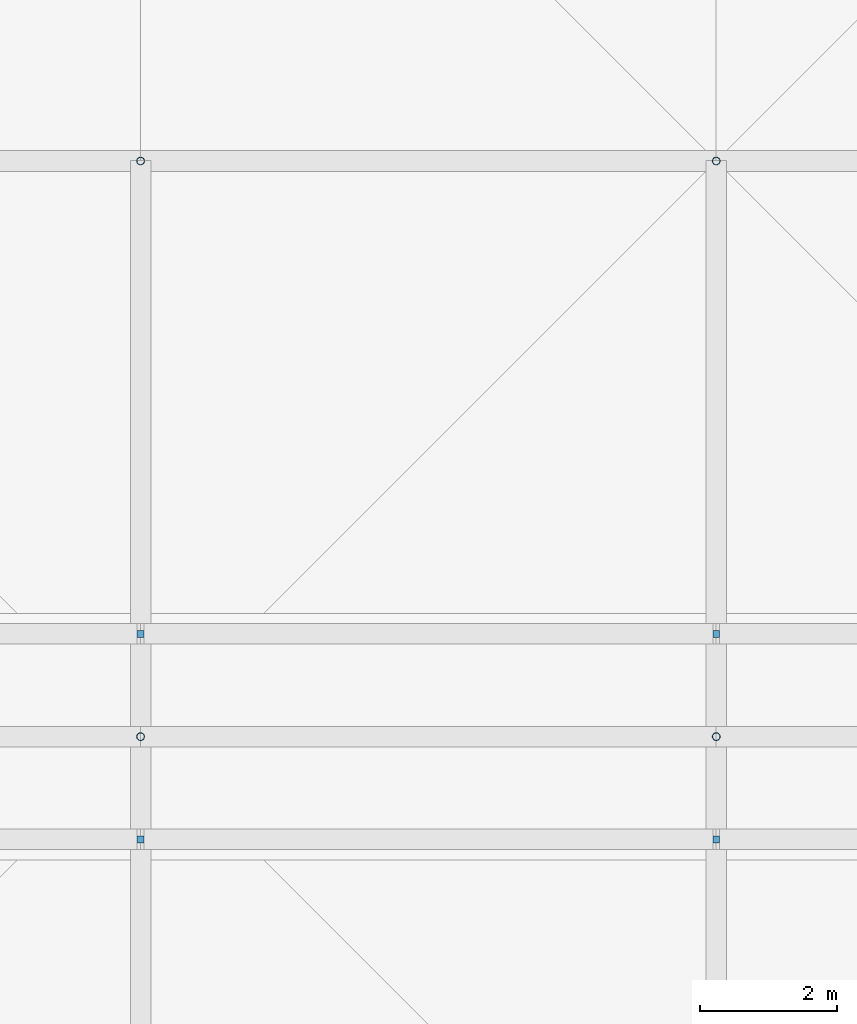
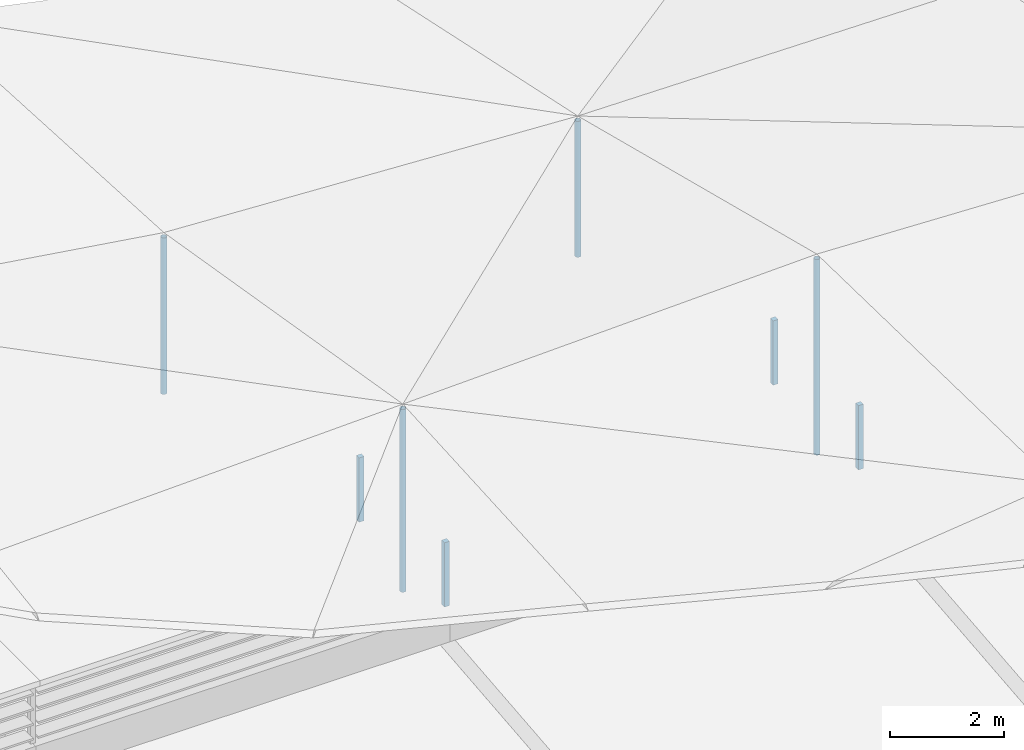
# One storey, part 19 of 46: 8 discrete accessories.
"""IFC4 building model written with IfcOpenShell, lengths in metres."""

from ifc_helpers import new_model, si_unit, direction, frame, origin, origin_2d, place, context, subcontext, project, spatial, rectangle, hollow_circle, extrude, material, layer, layer_set, material_profile, profile_set, type_object, element, save


model = new_model("IFC4")

# Units and contexts
model_context = context("Model", 3, precision=1e-05, world=origin(), true_north=direction((0.0, 1.0)))
body_context = subcontext(model_context, "Body", "Model", "MODEL_VIEW")
ifc_project = project(units=[si_unit("LENGTHUNIT", "METRE"), si_unit("AREAUNIT", "SQUARE_METRE"), si_unit("VOLUMEUNIT", "CUBIC_METRE"), si_unit("PLANEANGLEUNIT", "RADIAN"), si_unit("MASSUNIT", "GRAM", prefix="KILO")], contexts=[model_context])

# Site, building, storey
site_placement = place(None, origin())
site = spatial("IfcSite", under=ifc_project, at=site_placement, CompositionType="ELEMENT")
building_placement = place(site_placement, origin())
building = spatial("IfcBuilding", under=site, at=building_placement, Name="Rain Tree Exposition and Congress Centre", CompositionType="ELEMENT")
storey_placement = place(building_placement, frame((0.0, 0.0, 27.0)))
storey = spatial("IfcBuildingStorey", under=building, at=storey_placement, Name="ROOF VAULT CREST", CompositionType="ELEMENT", Elevation=27.0)

# Discrete accessories
ifc_material_1 = material(Name="Steel S355J2", Category="steel")
ifc_layer = layer(ifc_material_1, 0.10009765625)
ifc_layer_set = layer_set([ifc_layer], Name="Steel S355J2")
discrete_accessory_type_1 = type_object("IfcDiscreteAccessoryType", Name="Ridge lantern post 100", PredefinedType="BRACKET", material=ifc_layer_set)
for number, where, z_axis, x_axis, name in (
    (1, (201.60009765625, 124.5, 2.0), (0.0, 0.0, 1.0), (1.0, 0.0, 0.0), "Lantern post S7"),
    (2, (210.0, 124.5, 2.0), (0.0, 0.0, 1.0), (1.0, 0.0, 0.0), "Lantern post S8"),
    (3, (201.60009765625, 127.5, 2.0), (0.0, 0.0, 1.0), (1.0, 0.0, 0.0), "Lantern post N7"),
    (4, (210.0, 127.5, 2.0), (0.0, 0.0, 1.0), (1.0, 0.0, 0.0), "Lantern post N8"),
):
    element("IfcDiscreteAccessory", number, at=place(storey_placement, frame(where, z_axis=z_axis, x_axis=x_axis)), inside=storey, type_object=discrete_accessory_type_1, Name=name, PredefinedType="BRACKET", context=body_context, shape_type="SweptSolid", body=[
        extrude(rectangle(XDim=0.10009765625, YDim=0.10009765625, at=origin_2d()), origin(), (0.0, 0.0, 1.0), 1.3798828125),
    ])
ifc_material_2 = material(Name="Steel S355J2H", Category="steel")
ifc_material_profile = material_profile(ifc_material_2, hollow_circle(Radius=0.05712890625, WallThickness=0.00439453125, at=origin_2d()), Name="CHS 114x4.5")
ifc_profile_set = profile_set([ifc_material_profile], Name="Steel S355J2H")
discrete_accessory_type_2 = type_object("IfcDiscreteAccessoryType", Name="Roof skin post CHS 114x4.5", PredefinedType="BRACKET", material=ifc_profile_set)
discrete_accessory_1_placement = place(storey_placement, frame((201.60009765625, 126.0, 1.39990234375), z_axis=(0.0, 0.0, 1.0), x_axis=(1.0, 0.0, 0.0)))
element("IfcDiscreteAccessory", 5, at=discrete_accessory_1_placement, inside=storey, type_object=discrete_accessory_type_2, Name="Roof skin post B47", PredefinedType="BRACKET", context=body_context, shape_type="SweptSolid", body=[
    extrude(hollow_circle(Radius=0.05712890625, WallThickness=0.00439453125, at=origin_2d()), origin(), (0.0, 0.0, 1.0), 3.920166015625),
])
discrete_accessory_2_placement = place(storey_placement, frame((210.0, 126.0, 1.39990234375), z_axis=(0.0, 0.0, 1.0), x_axis=(1.0, 0.0, 0.0)))
element("IfcDiscreteAccessory", 6, at=discrete_accessory_2_placement, inside=storey, type_object=discrete_accessory_type_2, Name="Roof skin post B48", PredefinedType="BRACKET", context=body_context, shape_type="SweptSolid", body=[
    extrude(hollow_circle(Radius=0.05712890625, WallThickness=0.00439453125, at=origin_2d()), origin(), (0.0, 0.0, 1.0), 4.197265625),
])
discrete_accessory_3_placement = place(storey_placement, frame((201.60009765625, 134.39990234375, 0.551025390625), z_axis=(0.0, 0.0, 1.0), x_axis=(1.0, 0.0, 0.0)))
element("IfcDiscreteAccessory", 7, at=discrete_accessory_3_placement, inside=storey, type_object=discrete_accessory_type_2, Name="Roof skin post B60", PredefinedType="BRACKET", context=body_context, shape_type="SweptSolid", body=[
    extrude(hollow_circle(Radius=0.05712890625, WallThickness=0.00439453125, at=origin_2d()), origin(), (0.0, 0.0, 1.0), 3.35498046875),
])
discrete_accessory_4_placement = place(storey_placement, frame((210.0, 134.39990234375, 0.551025390625), z_axis=(0.0, 0.0, 1.0), x_axis=(1.0, 0.0, 0.0)))
element("IfcDiscreteAccessory", 8, at=discrete_accessory_4_placement, inside=storey, type_object=discrete_accessory_type_2, Name="Roof skin post B61", PredefinedType="BRACKET", context=body_context, shape_type="SweptSolid", body=[
    extrude(hollow_circle(Radius=0.05712890625, WallThickness=0.00439453125, at=origin_2d()), origin(), (0.0, 0.0, 1.0), 2.9140625),
])

save(model, "model.ifc")
